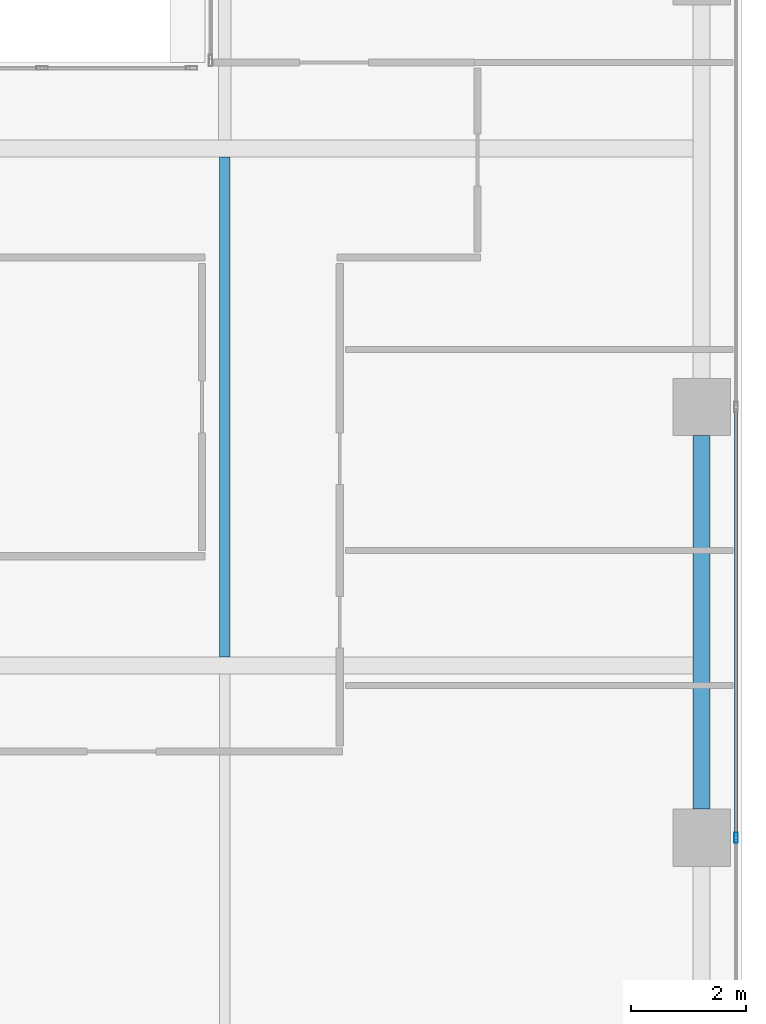
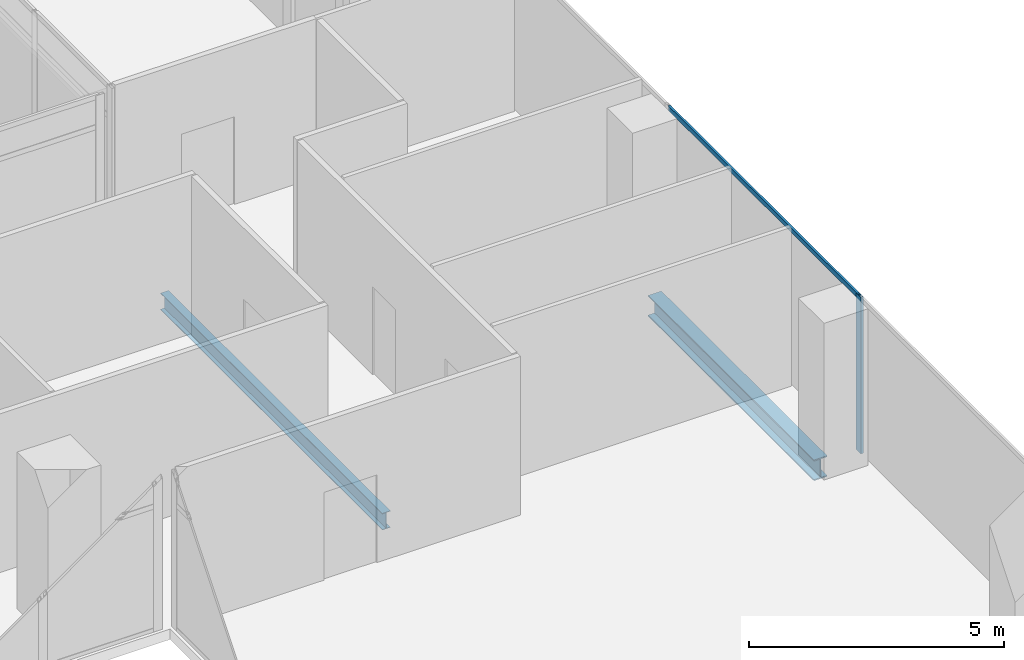
# One storey, part 15 of 40: 2 beams, 2 members, 1 element without a shape of its own.
"""IFC4 building model written with IfcOpenShell, lengths in metres."""

import ifcopenshell
import ifcopenshell.guid

model = None  # the IFC model being written
_history = None  # IfcOwnerHistory: only IFC2X3 demands one
_inside = {}  # id of a spatial element -> (the spatial element, [elements in it])
_under = {}  # id of a project, library or spatial element -> (it, [spatial elements below it])
_declared = {}  # id of a project -> (the project, [libraries it declares])
_typed = {}  # id of a type object -> (the type object, [elements of that type])
_made_of = {}  # id of a material, layer set ... -> (it, [elements and type objects made of it])


def new_model(schema):
    """Start an empty IFC model of exactly this schema.

    Asked for "IFC4X3", IfcOpenShell would pick the latest addendum, in which some entities
    have other attributes; the version numbers below select the first issue.
    IFC2X3 requires an IfcOwnerHistory on every rooted entity: one is made here for all.
    """
    global model, _history
    if schema == "IFC4X3":
        model = ifcopenshell.file(schema_version=(4, 3, 0, 0))
    else:
        model = ifcopenshell.file(schema=schema)
    _inside.clear()
    _under.clear()
    _declared.clear()
    _typed.clear()
    _made_of.clear()
    _history = None
    if model.schema == "IFC2X3":
        org = make("IfcOrganization", Name="unknown")
        user = make(
            "IfcPersonAndOrganization",
            ThePerson=make("IfcPerson", FamilyName="unknown"),
            TheOrganization=org,
        )
        app = make(
            "IfcApplication",
            ApplicationDeveloper=org,
            Version="unknown",
            ApplicationFullName="unknown",
            ApplicationIdentifier="unknown",
        )
        _history = make(
            "IfcOwnerHistory",
            OwningUser=user,
            OwningApplication=app,
            ChangeAction="ADDED",
            CreationDate=0,
        )
    return model


def make(cls, **values):
    """One entity of the class cls with the attributes given. An attribute that is None is left unset."""
    return model.create_entity(
        cls, **{name: value for name, value in values.items() if value is not None}
    )


def rooted(cls, **values):
    """An entity with a GlobalId (a new one), such as an element, a storey or a relation."""
    return make(cls, GlobalId=ifcopenshell.guid.new(), OwnerHistory=_history, **values)


def si_unit(unit_type, name, prefix=None):
    """IfcSIUnit, for example si_unit("LENGTHUNIT", "METRE", prefix="MILLI")."""
    return make("IfcSIUnit", UnitType=unit_type, Prefix=prefix, Name=name)


def assignment(units):
    """IfcUnitAssignment: the units of a project."""
    return None if units is None else make("IfcUnitAssignment", Units=units)


def point(xyz):
    """IfcCartesianPoint."""
    return None if xyz is None else make("IfcCartesianPoint", Coordinates=xyz)


def direction(xyz):
    """IfcDirection."""
    return None if xyz is None else make("IfcDirection", DirectionRatios=xyz)


def frame(location, z_axis=None, x_axis=None):
    """IfcAxis2Placement3D, a coordinate frame: its origin and axes. An axis left out is left unset."""
    return make(
        "IfcAxis2Placement3D",
        Location=point(location),
        Axis=direction(z_axis),
        RefDirection=direction(x_axis),
    )


def frame_2d(location, x_axis=None):
    """IfcAxis2Placement2D, a coordinate frame in the plane: its origin and x axis."""
    return make(
        "IfcAxis2Placement2D", Location=point(location), RefDirection=direction(x_axis)
    )


def origin():
    """The frame at (0, 0, 0) with its axes left unset."""
    return frame((0.0, 0.0, 0.0))


def origin_2d():
    """The frame at (0, 0) in the plane with its x axis left unset."""
    return frame_2d((0.0, 0.0))


def place(relative_to, where):
    """IfcLocalPlacement: puts the frame where relative to a parent placement (None: the world)."""
    return make(
        "IfcLocalPlacement", PlacementRelTo=relative_to, RelativePlacement=where
    )


def context(
    kind, dimensions, precision=None, world=None, true_north=None, identifier=None
):
    """IfcGeometricRepresentationContext, for example the 3D "Model" context."""
    return make(
        "IfcGeometricRepresentationContext",
        ContextIdentifier=identifier,
        ContextType=kind,
        CoordinateSpaceDimension=dimensions,
        Precision=precision,
        WorldCoordinateSystem=world,
        TrueNorth=true_north,
    )


def subcontext(parent, identifier, kind, view, scale=None):
    """IfcGeometricRepresentationSubContext, for example "Body" below "Model"."""
    return make(
        "IfcGeometricRepresentationSubContext",
        ContextIdentifier=identifier,
        ContextType=kind,
        ParentContext=parent,
        TargetScale=scale,
        TargetView=view,
    )


def project(units=None, contexts=None):
    """IfcProject with its units and contexts."""
    return rooted(
        "IfcProject",
        Name="project",
        RepresentationContexts=contexts,
        UnitsInContext=assignment(units),
    )


def spatial(cls, under=None, at=None, **own):
    """A site, building, storey or space (cls), placed at a placement, below another one or the project."""
    s = rooted(cls, ObjectPlacement=at, **own)
    if under is not None:
        _under.setdefault(under.id(), (under, []))[1].append(s)
    return s


def profile(cls, at=None, kind="AREA", **sizes):
    """A parametric profile (cls). Its sizes go by their IFC names, for example OverallWidth=200.0."""
    return make(cls, ProfileType=kind, Position=at, **sizes)


def hollow_rectangle(**sizes):
    """IfcRectangleHollowProfileDef."""
    return profile("IfcRectangleHollowProfileDef", **sizes)


def i_section(**sizes):
    """IfcIShapeProfileDef."""
    return profile("IfcIShapeProfileDef", **sizes)


def extrude(swept, where, along, depth):
    """IfcExtrudedAreaSolid: the profile swept, set in the frame where, extruded along a direction by depth."""
    return make(
        "IfcExtrudedAreaSolid",
        SweptArea=swept,
        Position=where,
        ExtrudedDirection=direction(along),
        Depth=depth,
    )


def shape(context_of_items, identifier, shape_type, items):
    """IfcShapeRepresentation: the items that make up one representation, for example the "Body"."""
    return make(
        "IfcShapeRepresentation",
        ContextOfItems=context_of_items,
        RepresentationIdentifier=identifier,
        RepresentationType=shape_type,
        Items=items,
    )


def source(mapping_origin, context_of_items, identifier, shape_type, items):
    """IfcRepresentationMap: a shape defined once, which mapped items show again and again."""
    return make(
        "IfcRepresentationMap",
        MappingOrigin=mapping_origin,
        MappedRepresentation=shape(context_of_items, identifier, shape_type, items),
    )


def transform(
    local_origin,
    x_axis=None,
    y_axis=None,
    z_axis=None,
    scale=None,
    scale2=None,
    scale3=None,
    uniform=True,
):
    """IfcCartesianTransformationOperator3D, or its non-uniform kind. x_axis, y_axis, z_axis: its Axis1, 2, 3."""
    if uniform:
        return make(
            "IfcCartesianTransformationOperator3D",
            Axis1=direction(x_axis),
            Axis2=direction(y_axis),
            LocalOrigin=point(local_origin),
            Scale=scale,
            Axis3=direction(z_axis),
        )
    return make(
        "IfcCartesianTransformationOperator3DnonUniform",
        Axis1=direction(x_axis),
        Axis2=direction(y_axis),
        LocalOrigin=point(local_origin),
        Scale=scale,
        Axis3=direction(z_axis),
        Scale2=scale2,
        Scale3=scale3,
    )


def mapped(mapping_source, mapping_target):
    """IfcMappedItem: shows the shape of a source again, moved by a transform."""
    return make(
        "IfcMappedItem", MappingSource=mapping_source, MappingTarget=mapping_target
    )


def material(Name=None, Category=None):
    """IfcMaterial."""
    return make("IfcMaterial", Name=Name, Category=Category)


def material_profile(
    of_material, cross_section, Name=None, Category=None, Priority=None
):
    """IfcMaterialProfile: a cross section and its material."""
    return make(
        "IfcMaterialProfile",
        Name=Name,
        Material=of_material,
        Profile=cross_section,
        Priority=Priority,
        Category=Category,
    )


def profile_set(profiles, Name=None, composite=None):
    """IfcMaterialProfileSet."""
    return make(
        "IfcMaterialProfileSet",
        Name=Name,
        MaterialProfiles=profiles,
        CompositeProfile=composite,
    )


def made_of(thing, what):
    """Note that an element or type object is made of a material, layer set ...; save() writes the relation."""
    if what is not None:
        _made_of.setdefault(what.id(), (what, []))[1].append(thing)
    return thing


def type_object(cls, material=None, **own):
    """A type object (cls), such as IfcWallType, which elements share."""
    return made_of(rooted(cls, **own), material)


def element(
    cls,
    number,
    at=None,
    inside=None,
    cuts=None,
    type_object=None,
    material=None,
    context=None,
    identifier="Body",
    shape_type=None,
    held_by="IfcProductDefinitionShape",
    body=None,
    shapes=None,
    **own,
):
    """One element of the class cls, such as IfcWall. Its Tag is "e" and its number.

    at: its placement. inside: the storey or other place that contains it. cuts: it is an
    opening in that element (IfcRelVoidsElement). A single representation is given by context,
    identifier, shape_type and body (its items); several are given by shapes. held_by: the class
    of the entity that holds the representations. save() writes the other relations.
    """
    e = rooted(cls, Tag="e%d" % number, ObjectPlacement=at, **own)
    if body is not None:
        shapes = [shape(context, identifier, shape_type, body)]
    if shapes is not None:
        e.Representation = make(held_by, Representations=shapes)
    if inside is not None:
        _inside.setdefault(inside.id(), (inside, []))[1].append(e)
    if cuts is not None:
        rooted(
            "IfcRelVoidsElement", RelatingBuildingElement=cuts, RelatedOpeningElement=e
        )
    if type_object is not None:
        _typed.setdefault(type_object.id(), (type_object, []))[1].append(e)
    return made_of(e, material)


def aggregate(whole, parts):
    """IfcRelAggregates: a whole, such as a stair, and the parts it consists of."""
    return rooted("IfcRelAggregates", RelatingObject=whole, RelatedObjects=parts)


def save(model, path):
    """Write the relations noted so far, then the file.

    IfcRelAggregates (storeys below a building ...), IfcRelContainedInSpatialStructure (elements
    in a storey), IfcRelDefinesByType, IfcRelAssociatesMaterial and IfcRelDeclares: one each for
    every whole, place, type object, material and project.
    """
    for whole, parts in _under.values():
        aggregate(whole, parts)
    for where, things in _inside.values():
        rooted(
            "IfcRelContainedInSpatialStructure",
            RelatedElements=things,
            RelatingStructure=where,
        )
    for kind, things in _typed.values():
        rooted("IfcRelDefinesByType", RelatedObjects=things, RelatingType=kind)
    for what, things in _made_of.values():
        rooted("IfcRelAssociatesMaterial", RelatedObjects=things, RelatingMaterial=what)
    for by, libraries in _declared.values():
        rooted("IfcRelDeclares", RelatingContext=by, RelatedDefinitions=libraries)
    model.write(path)


model = new_model("IFC4")

# Units and contexts
model_context = context("Model", 3, precision=1e-05, world=origin(), true_north=direction((0.0, 1.0)))
body_context = subcontext(model_context, "Body", "Model", "MODEL_VIEW")
ifc_project = project(units=[si_unit("LENGTHUNIT", "METRE"), si_unit("AREAUNIT", "SQUARE_METRE"), si_unit("VOLUMEUNIT", "CUBIC_METRE"), si_unit("PLANEANGLEUNIT", "RADIAN"), si_unit("MASSUNIT", "GRAM", prefix="KILO")], contexts=[model_context])

# Site, building, storey
site_placement = place(None, origin())
site = spatial("IfcSite", under=ifc_project, at=site_placement, CompositionType="ELEMENT")
building_placement = place(site_placement, origin())
building = spatial("IfcBuilding", under=site, at=building_placement, Name="Khomas Fold Tower", CompositionType="ELEMENT")
storey_placement = place(building_placement, frame((0.0, 0.0, 180.699951171875)))
storey = spatial("IfcBuildingStorey", under=building, at=storey_placement, Name="L39", CompositionType="ELEMENT", Elevation=180.699951171875)

# Beams
ifc_material_1 = material(Name="Steel S355", Category="steel")
ifc_material_profile_1 = material_profile(ifc_material_1, i_section(OverallWidth=0.179931640625, OverallDepth=0.39990234375, WebThickness=0.008544921875, FlangeThickness=0.013427734375, at=origin_2d()), Name="IPE 400")
ifc_profile_set_1 = profile_set([ifc_material_profile_1], Name="Steel S355")
beam_type_1 = type_object("IfcBeamType", Name="IPE 400 beam JB3", PredefinedType="BEAM", material=ifc_profile_set_1)
shared_shape_1 = source(origin(), body_context, "Body", "SweptSolid", [
    extrude(i_section(OverallWidth=0.179931640625, OverallDepth=0.39990234375, WebThickness=0.008544921875, FlangeThickness=0.013427734375, at=origin_2d()), origin(), (0.0, 0.0, 1.0), 8.7001953125),
])
beam_1_placement = place(storey_placement, frame((42.0, 22.64990234375, -0.449951171875), z_axis=(0.0, 1.0, 0.0), x_axis=(-1.0, 0.0, 0.0)))
element("IfcBeam", 1, at=beam_1_placement, inside=storey, type_object=beam_type_1, Name="JB3", PredefinedType="BEAM", context=body_context, shape_type="MappedRepresentation", body=[
    mapped(shared_shape_1, transform((0.0, 0.0, 0.0))),
])
ifc_material_2 = material(Name="Steel S355", Category="steel")
ifc_material_profile_2 = material_profile(ifc_material_2, i_section(OverallWidth=0.300048828125, OverallDepth=0.5, WebThickness=0.014404296875, FlangeThickness=0.028076171875, at=origin_2d()), Name="HE 500 B")
ifc_profile_set_2 = profile_set([ifc_material_profile_2], Name="Steel S355")
beam_type_2 = type_object("IfcBeamType", Name="HE 500 B spandrel SB3", PredefinedType="SPANDREL", material=ifc_profile_set_2)
shared_shape_2 = source(origin(), body_context, "Body", "SweptSolid", [
    extrude(i_section(OverallWidth=0.300048828125, OverallDepth=0.5, WebThickness=0.014404296875, FlangeThickness=0.028076171875, at=origin_2d()), origin(), (0.0, 0.0, 1.0), 6.5),
])
beam_2_placement = place(storey_placement, frame((50.300048828125, 20.0, -0.5), z_axis=(0.0, 1.0, 0.0), x_axis=(-1.0, 0.0, 0.0)))
element("IfcBeam", 2, at=beam_2_placement, inside=storey, type_object=beam_type_2, Name="SB3", PredefinedType="SPANDREL", context=body_context, shape_type="MappedRepresentation", body=[
    mapped(shared_shape_2, transform((0.0, 0.0, 0.0))),
])

# Curtain wall, members
ifc_material_3 = material(Name="Aluminium framed double glazing", Category="aluminium")
curtain_wall_type = type_object("IfcCurtainWallType", Name="SK-Unitised clear-glass wall, office floors CW2", PredefinedType="NOTDEFINED", material=ifc_material_3)
curtain_wall_placement = place(storey_placement, origin())
curtain_wall = element("IfcCurtainWall", 3, at=curtain_wall_placement, inside=storey, type_object=curtain_wall_type, Name="CW2 run L39 08-0", PredefinedType="NOTDEFINED")
ifc_material_4 = material(Name="Aluminium", Category="aluminium")
ifc_material_profile_3 = material_profile(ifc_material_4, hollow_rectangle(XDim=0.06005859375, YDim=0.179931640625, WallThickness=0.00390625, at=origin_2d()), Name="SK-Unitised clear-glass wall, office floors mullion CW2-M")
ifc_profile_set_3 = profile_set([ifc_material_profile_3], Name="Aluminium")
member_type_1 = type_object("IfcMemberType", Name="SK-Unitised clear-glass wall, office floors mullion CW2-M", PredefinedType="MULLION", material=ifc_profile_set_3)
shared_shape_3 = source(origin(), body_context, "Body", "SweptSolid", [
    extrude(hollow_rectangle(XDim=0.06005859375, YDim=0.179931640625, WallThickness=0.00390625, at=origin_2d()), origin(), (0.0, 0.0, 1.0), 3.75),
])
member_1_placement = place(storey_placement, frame((50.89990234375, 19.5, 0.0), z_axis=(0.0, 0.0, 1.0), x_axis=(-1.0, 0.0, 0.0)))
member_1 = element("IfcMember", 4, at=member_1_placement, type_object=member_type_1, Name="CW2 mullion 4", PredefinedType="MULLION", context=body_context, shape_type="MappedRepresentation", body=[
    mapped(shared_shape_3, transform((0.0, 0.0, 0.0))),
])
ifc_material_5 = material(Name="Aluminium", Category="aluminium")
ifc_material_profile_4 = material_profile(ifc_material_5, hollow_rectangle(XDim=0.050048828125, YDim=0.110107421875, WallThickness=0.00390625, at=origin_2d()), Name="SK-Unitised clear-glass wall, office floors transom CW2-T")
ifc_profile_set_4 = profile_set([ifc_material_profile_4], Name="Aluminium")
member_type_2 = type_object("IfcMemberType", Name="SK-Unitised clear-glass wall, office floors transom CW2-T", PredefinedType="USERDEFINED", material=ifc_profile_set_4)
shared_shape_4 = source(origin(), body_context, "Body", "SweptSolid", [
    extrude(hollow_rectangle(XDim=0.050048828125, YDim=0.110107421875, WallThickness=0.00390625, at=origin_2d()), origin(), (0.0, 0.0, 1.0), 7.43994140625),
])
member_2_placement = place(storey_placement, frame((50.89990234375, 19.530029296875, 3.695068359375), z_axis=(0.0, 1.0, 0.0), x_axis=(-1.0, 0.0, 0.0)))
member_2 = element("IfcMember", 5, at=member_2_placement, type_object=member_type_2, Name="CW2 transom 4", ObjectType="TRANSOM", PredefinedType="USERDEFINED", context=body_context, shape_type="MappedRepresentation", body=[
    mapped(shared_shape_4, transform((0.0, 0.0, 0.0))),
])
aggregate(curtain_wall, [member_1, member_2])

save(model, "model.ifc")
